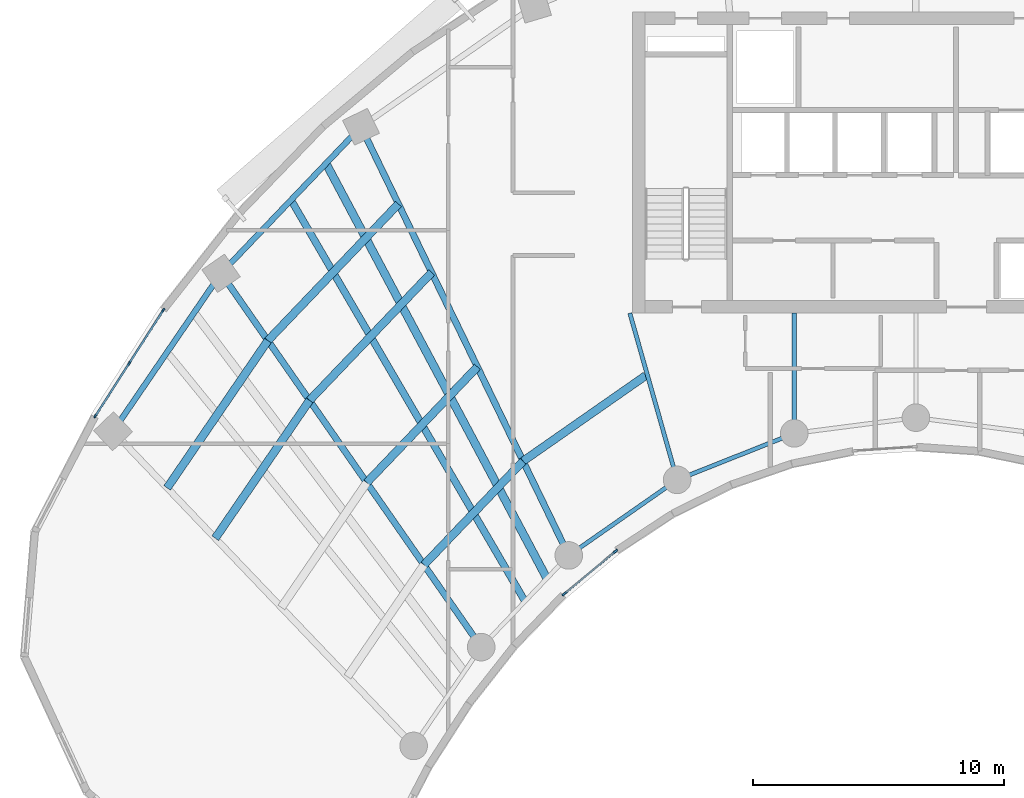
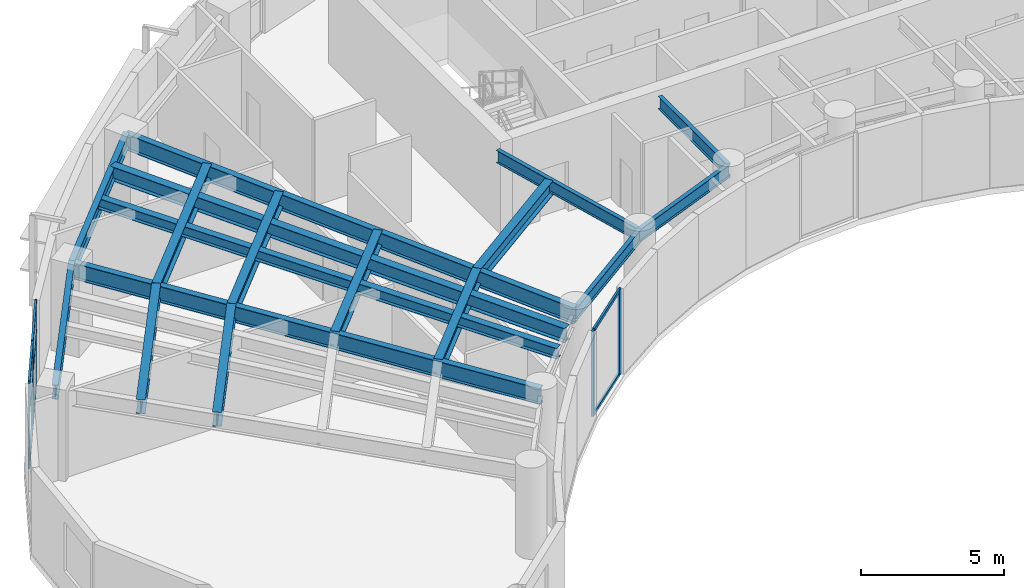
# One storey, part 2 of 12: 17 beams, 13 members, 2 elements without a shape of their own.
"""IFC4 building model written with IfcOpenShell, lengths in metres."""

from ifc_helpers import new_model, si_unit, direction, frame, origin, origin_2d, place, context, subcontext, project, spatial, rectangle, i_section, extrude, source, transform, mapped, material, layer, layer_set, material_profile, profile_set, type_object, type_shapes, element, aggregate, save


model = new_model("IFC4")

# Units and contexts
model_context = context("Model", 3, precision=1e-05, world=origin(), true_north=direction((0.0, 1.0)))
body_context = subcontext(model_context, "Body", "Model", "MODEL_VIEW")
ifc_project = project(units=[si_unit("LENGTHUNIT", "METRE"), si_unit("AREAUNIT", "SQUARE_METRE"), si_unit("VOLUMEUNIT", "CUBIC_METRE"), si_unit("PLANEANGLEUNIT", "RADIAN"), si_unit("MASSUNIT", "GRAM", prefix="KILO")], contexts=[model_context])

# Site, building, storey
site_placement = place(None, origin())
site = spatial("IfcSite", under=ifc_project, at=site_placement, CompositionType="ELEMENT")
building_placement = place(site_placement, origin())
building = spatial("IfcBuilding", under=site, at=building_placement, Name="Breltana Convention Tower", CompositionType="ELEMENT")
storey_placement = place(building_placement, frame((0.0, 0.0, 150.60009765625)))
storey = spatial("IfcBuildingStorey", under=building, at=storey_placement, Name="L36", CompositionType="ELEMENT", Elevation=150.60009765625)

# Beams
ifc_material_1 = material(Name="Steel ASTM A992 Grade 50", Category="steel")
ifc_material_profile_1 = material_profile(ifc_material_1, i_section(OverallWidth=0.25390625, OverallDepth=0.68798828125, WebThickness=0.01318359375, FlangeThickness=0.02099609375, at=origin_2d()), Name="W27X102")
ifc_profile_set_1 = profile_set([ifc_material_profile_1], Name="Steel ASTM A992 Grade 50")
beam_type_1 = type_object("IfcBeamType", Name="BM-RG-W27X102", PredefinedType="USERDEFINED", material=ifc_profile_set_1)
shared_shape_1 = source(origin(), body_context, "Body", "SweptSolid", [
    extrude(i_section(OverallWidth=0.25390625, OverallDepth=0.68798828125, WebThickness=0.01318359375, FlangeThickness=0.02099609375, at=origin_2d()), origin(), (0.0, 0.0, 1.0), 18.1484375),
])
beam_1_placement = place(storey_placement, frame((30.67724609375, 46.892333984375, 3.305908203125), z_axis=(-0.571207556098, 0.820805657788, 0.0), x_axis=(-0.820805657788, -0.571207556098, 0.0)))
element("IfcBeam", 1, at=beam_1_placement, inside=storey, type_object=beam_type_1, Name="L36 Radial Floor Girder R02", ObjectType="GIRDER", PredefinedType="USERDEFINED", context=body_context, shape_type="MappedRepresentation", body=[
    mapped(shared_shape_1, transform((0.0, 0.0, 0.0), scale=1.0)),
])
shared_shape_2 = source(origin(), body_context, "Body", "SweptSolid", [
    extrude(i_section(OverallWidth=0.25390625, OverallDepth=0.68798828125, WebThickness=0.01318359375, FlangeThickness=0.02099609375, at=origin_2d()), origin(), (0.0, 0.0, 1.0), 18.982421875),
])
beam_2_placement = place(storey_placement, frame((34.166259765625, 50.544921875, 3.305908203125), z_axis=(-0.436118560343, 0.89988921614, 0.0), x_axis=(-0.89988921614, -0.436118560343, 0.0)))
element("IfcBeam", 2, at=beam_2_placement, inside=storey, type_object=beam_type_1, Name="L36 Radial Floor Girder R03", ObjectType="GIRDER", PredefinedType="USERDEFINED", context=body_context, shape_type="MappedRepresentation", body=[
    mapped(shared_shape_2, transform((0.0, 0.0, 0.0), scale=1.0)),
])
ifc_material_profile_2 = material_profile(ifc_material_1, i_section(OverallWidth=0.166015625, OverallDepth=0.534912109375, WebThickness=0.01025390625, FlangeThickness=0.0166015625, at=origin_2d()), Name="W21X57")
ifc_profile_set_2 = profile_set([ifc_material_profile_2], Name="Steel ASTM A992 Grade 50")
beam_type_2 = type_object("IfcBeamType", Name="BM-BM-W21X57", PredefinedType="BEAM", material=ifc_profile_set_2)
shared_shape_3 = source(origin(), body_context, "Body", "SweptSolid", [
    extrude(i_section(OverallWidth=0.166015625, OverallDepth=0.534912109375, WebThickness=0.01025390625, FlangeThickness=0.0166015625, at=origin_2d()), origin(), (0.0, 0.0, 1.0), 6.904541015625),
])
type_shapes(beam_type_2, [shared_shape_3])
beam_3_placement = place(storey_placement, frame((36.60009765625, 60.199951171875, 3.38232421875), z_axis=(0.273006781054, -0.962012108811, 0.0), x_axis=(0.962012108811, 0.273006781054, 0.0)))
element("IfcBeam", 3, at=beam_3_placement, inside=storey, type_object=beam_type_2, Name="L36 South Core Tie Girder R04", PredefinedType="BEAM", context=body_context, shape_type="MappedRepresentation", body=[
    mapped(shared_shape_3, transform((0.0, 0.0, 0.0), scale=1.0)),
])
shared_shape_4 = source(origin(), body_context, "Body", "SweptSolid", [
    extrude(i_section(OverallWidth=0.166015625, OverallDepth=0.534912109375, WebThickness=0.01025390625, FlangeThickness=0.0166015625, at=origin_2d()), origin(), (0.0, 0.0, 1.0), 4.789306640625),
])
beam_4_placement = place(storey_placement, frame((43.153564453125, 60.199951171875, 3.38232421875), z_axis=(0.0, -1.0, 0.0), x_axis=(1.0, 0.0, 0.0)))
element("IfcBeam", 4, at=beam_4_placement, inside=storey, type_object=beam_type_2, Name="L36 South Core Tie Girder R05", PredefinedType="BEAM", context=body_context, shape_type="MappedRepresentation", body=[
    mapped(shared_shape_4, transform((0.0, 0.0, 0.0), scale=1.0)),
])
ifc_material_profile_3 = material_profile(ifc_material_1, i_section(OverallWidth=0.22802734375, OverallDepth=0.60791015625, WebThickness=0.01123046875, FlangeThickness=0.017333984375, at=origin_2d()), Name="W24X76")
ifc_profile_set_3 = profile_set([ifc_material_profile_3], Name="Steel ASTM A992 Grade 50")
beam_type_3 = type_object("IfcBeamType", Name="BM-SP-W24X76", PredefinedType="SPANDREL", material=ifc_profile_set_3)
shared_shape_5 = source(origin(), body_context, "Body", "SweptSolid", [
    extrude(i_section(OverallWidth=0.22802734375, OverallDepth=0.60791015625, WebThickness=0.01123046875, FlangeThickness=0.017333984375, at=origin_2d()), origin(), (0.0, 0.0, 1.0), 7.625),
])
type_shapes(beam_type_3, [shared_shape_5])
beam_5_placement = place(storey_placement, frame((16.0068359375, 55.494384765625, 3.345947265625), z_axis=(0.564452031902, 0.825465870694, 0.0), x_axis=(-0.825465870694, 0.564452031902, 0.0)))
element("IfcBeam", 5, at=beam_5_placement, inside=storey, type_object=beam_type_3, Name="L36 Outer Spandrel Beam 01", PredefinedType="SPANDREL", context=body_context, shape_type="MappedRepresentation", body=[
    mapped(shared_shape_5, transform((0.0, 0.0, 0.0), scale=1.0)),
])
shared_shape_6 = source(origin(), body_context, "Body", "SweptSolid", [
    extrude(i_section(OverallWidth=0.22802734375, OverallDepth=0.60791015625, WebThickness=0.01123046875, FlangeThickness=0.017333984375, at=origin_2d()), origin(), (0.0, 0.0, 1.0), 8.073974609375),
])
beam_6_placement = place(storey_placement, frame((20.310791015625, 61.78857421875, 3.345947265625), z_axis=(0.69072885448, 0.723113856588, 0.0), x_axis=(-0.723113856588, 0.69072885448, 0.0)))
element("IfcBeam", 6, at=beam_6_placement, inside=storey, type_object=beam_type_3, Name="L36 Outer Spandrel Beam 02", PredefinedType="SPANDREL", context=body_context, shape_type="MappedRepresentation", body=[
    mapped(shared_shape_6, transform((0.0, 0.0, 0.0), scale=1.0)),
])
shared_shape_7 = source(origin(), body_context, "Body", "SweptSolid", [
    extrude(i_section(OverallWidth=0.166015625, OverallDepth=0.534912109375, WebThickness=0.01025390625, FlangeThickness=0.0166015625, at=origin_2d()), origin(), (0.0, 0.0, 1.0), 5.265869140625),
])
beam_7_placement = place(storey_placement, frame((34.166259765625, 50.544921875, 3.38232421875), z_axis=(0.820167429517, 0.572123577176, 0.0), x_axis=(-0.572123577176, 0.820167429517, 0.0)))
element("IfcBeam", 7, at=beam_7_placement, inside=storey, type_object=beam_type_2, Name="L36 Inner Ring Beam 03", PredefinedType="BEAM", context=body_context, shape_type="MappedRepresentation", body=[
    mapped(shared_shape_7, transform((0.0, 0.0, 0.0), scale=1.0)),
])
shared_shape_8 = source(origin(), body_context, "Body", "SweptSolid", [
    extrude(i_section(OverallWidth=0.166015625, OverallDepth=0.534912109375, WebThickness=0.01025390625, FlangeThickness=0.0166015625, at=origin_2d()), origin(), (0.0, 0.0, 1.0), 5.022705078125),
])
beam_8_placement = place(storey_placement, frame((38.485107421875, 53.5576171875, 3.38232421875), z_axis=(0.929458966248, 0.368925507469, 0.0), x_axis=(-0.368925507469, 0.929458966248, 0.0)))
element("IfcBeam", 8, at=beam_8_placement, inside=storey, type_object=beam_type_2, Name="L36 Inner Ring Beam 04", PredefinedType="BEAM", context=body_context, shape_type="MappedRepresentation", body=[
    mapped(shared_shape_8, transform((0.0, 0.0, 0.0), scale=1.0)),
])
ifc_material_profile_4 = material_profile(ifc_material_1, i_section(OverallWidth=0.323974609375, OverallDepth=0.611083984375, WebThickness=0.0126953125, FlangeThickness=0.01904296875, at=origin_2d()), Name="W24X104")
ifc_profile_set_4 = profile_set([ifc_material_profile_4], Name="Steel ASTM A992 Grade 50")
beam_type_4 = type_object("IfcBeamType", Name="BM-JSG-01", PredefinedType="JOIST", material=ifc_profile_set_4)
shared_shape_9 = source(origin(), body_context, "Body", "SweptSolid", [
    extrude(i_section(OverallWidth=0.323974609375, OverallDepth=0.611083984375, WebThickness=0.0126953125, FlangeThickness=0.01904296875, at=origin_2d()), origin(), (0.0, 0.0, 1.0), 6.654541015625),
])
beam_9_placement = place(storey_placement, frame((20.0791015625, 51.23095703125, 3.344482421875), z_axis=(0.564482668195, 0.82544492082, 0.0), x_axis=(-0.82544492082, 0.564482668195, 0.0)))
element("IfcBeam", 9, at=beam_9_placement, inside=storey, type_object=beam_type_4, Name="L36 Composite Floor Joist 01.3", PredefinedType="JOIST", context=body_context, shape_type="MappedRepresentation", body=[
    mapped(shared_shape_9, transform((0.0, 0.0, 0.0), scale=1.0)),
])
shared_shape_10 = source(origin(), body_context, "Body", "SweptSolid", [
    extrude(i_section(OverallWidth=0.323974609375, OverallDepth=0.611083984375, WebThickness=0.0126953125, FlangeThickness=0.01904296875, at=origin_2d()), origin(), (0.0, 0.0, 1.0), 7.111328125),
])
beam_10_placement = place(storey_placement, frame((18.162841796875, 53.2373046875, 3.344482421875), z_axis=(0.564446356178, 0.825469751715, 0.0), x_axis=(-0.825469751715, 0.564446356178, 0.0)))
element("IfcBeam", 10, at=beam_10_placement, inside=storey, type_object=beam_type_4, Name="L36 Composite Floor Joist 01.4", PredefinedType="JOIST", context=body_context, shape_type="MappedRepresentation", body=[
    mapped(shared_shape_10, transform((0.0, 0.0, 0.0), scale=1.0)),
])
shared_shape_11 = source(origin(), body_context, "Body", "SweptSolid", [
    extrude(i_section(OverallWidth=0.323974609375, OverallDepth=0.611083984375, WebThickness=0.0126953125, FlangeThickness=0.01904296875, at=origin_2d()), origin(), (0.0, 0.0, 1.0), 5.716064453125),
])
beam_11_placement = place(storey_placement, frame((28.396484375, 50.169677734375, 3.344482421875), z_axis=(0.690756060045, 0.723087868458, 0.0), x_axis=(-0.723087868458, 0.690756060045, 0.0)))
element("IfcBeam", 11, at=beam_11_placement, inside=storey, type_object=beam_type_4, Name="L36 Composite Floor Joist 02.1", PredefinedType="JOIST", context=body_context, shape_type="MappedRepresentation", body=[
    mapped(shared_shape_11, transform((0.0, 0.0, 0.0), scale=1.0)),
])
shared_shape_12 = source(origin(), body_context, "Body", "SweptSolid", [
    extrude(i_section(OverallWidth=0.323974609375, OverallDepth=0.611083984375, WebThickness=0.0126953125, FlangeThickness=0.01904296875, at=origin_2d()), origin(), (0.0, 0.0, 1.0), 6.381103515625),
])
beam_12_placement = place(storey_placement, frame((26.115966796875, 53.44677734375, 3.344482421875), z_axis=(0.690737768889, 0.723105341309, 0.0), x_axis=(-0.723105341309, 0.690737768889, 0.0)))
element("IfcBeam", 12, at=beam_12_placement, inside=storey, type_object=beam_type_4, Name="L36 Composite Floor Joist 02.2", PredefinedType="JOIST", context=body_context, shape_type="MappedRepresentation", body=[
    mapped(shared_shape_12, transform((0.0, 0.0, 0.0), scale=1.0)),
])
shared_shape_13 = source(origin(), body_context, "Body", "SweptSolid", [
    extrude(i_section(OverallWidth=0.323974609375, OverallDepth=0.611083984375, WebThickness=0.0126953125, FlangeThickness=0.01904296875, at=origin_2d()), origin(), (0.0, 0.0, 1.0), 7.046142578125),
])
beam_13_placement = place(storey_placement, frame((23.83544921875, 56.723876953125, 3.344482421875), z_axis=(0.690722929904, 0.723119515782, 0.0), x_axis=(-0.723119515782, 0.690722929904, 0.0)))
element("IfcBeam", 13, at=beam_13_placement, inside=storey, type_object=beam_type_4, Name="L36 Composite Floor Joist 02.3", PredefinedType="JOIST", context=body_context, shape_type="MappedRepresentation", body=[
    mapped(shared_shape_13, transform((0.0, 0.0, 0.0), scale=1.0)),
])
shared_shape_14 = source(origin(), body_context, "Body", "SweptSolid", [
    extrude(i_section(OverallWidth=0.323974609375, OverallDepth=0.611083984375, WebThickness=0.0126953125, FlangeThickness=0.01904296875, at=origin_2d()), origin(), (0.0, 0.0, 1.0), 7.529541015625),
])
beam_14_placement = place(storey_placement, frame((22.1767578125, 59.107421875, 3.344482421875), z_axis=(0.690725562031, 0.723117001568, 0.0), x_axis=(-0.723117001568, 0.690725562031, 0.0)))
element("IfcBeam", 14, at=beam_14_placement, inside=storey, type_object=beam_type_4, Name="L36 Composite Floor Joist 02.4", PredefinedType="JOIST", context=body_context, shape_type="MappedRepresentation", body=[
    mapped(shared_shape_14, transform((0.0, 0.0, 0.0), scale=1.0)),
])
ifc_material_profile_5 = material_profile(ifc_material_1, i_section(OverallWidth=0.280029296875, OverallDepth=0.462890625, WebThickness=0.0107421875, FlangeThickness=0.017333984375, at=origin_2d()), Name="W18X76")
ifc_profile_set_5 = profile_set([ifc_material_profile_5], Name="Steel ASTM A992 Grade 50")
beam_type_5 = type_object("IfcBeamType", Name="BM-JSG-06", PredefinedType="JOIST", material=ifc_profile_set_5)
shared_shape_15 = source(origin(), body_context, "Body", "SweptSolid", [
    extrude(i_section(OverallWidth=0.280029296875, OverallDepth=0.462890625, WebThickness=0.0107421875, FlangeThickness=0.017333984375, at=origin_2d()), origin(), (0.0, 0.0, 1.0), 18.50830078125),
])
beam_15_placement = place(storey_placement, frame((32.421630859375, 48.71875, 3.41845703125), z_axis=(-0.50368319637, 0.863888440537, 0.0), x_axis=(-0.863888440537, -0.50368319637, 0.0)))
element("IfcBeam", 15, at=beam_15_placement, inside=storey, type_object=beam_type_5, Name="L36 Mid-Bay Radial Trimmer 02", PredefinedType="JOIST", context=body_context, shape_type="MappedRepresentation", body=[
    mapped(shared_shape_15, transform((0.0, 0.0, 0.0), scale=1.0)),
])
shared_shape_16 = source(origin(), body_context, "Body", "SweptSolid", [
    extrude(i_section(OverallWidth=0.323974609375, OverallDepth=0.611083984375, WebThickness=0.0126953125, FlangeThickness=0.01904296875, at=origin_2d()), origin(), (0.0, 0.0, 1.0), 18.731689453125),
])
beam_16_placement = place(storey_placement, frame((33.2939453125, 49.6318359375, 3.344482421875), z_axis=(-0.469820250451, 0.882762104004, 0.0), x_axis=(-0.882762104004, -0.469820250451, 0.0)))
element("IfcBeam", 16, at=beam_16_placement, inside=storey, type_object=beam_type_4, Name="L36 Quarter-Bay Radial Trimmer 02", PredefinedType="JOIST", context=body_context, shape_type="MappedRepresentation", body=[
    mapped(shared_shape_16, transform((0.0, 0.0, 0.0), scale=1.0)),
])
shared_shape_17 = source(origin(), body_context, "Body", "SweptSolid", [
    extrude(i_section(OverallWidth=0.323974609375, OverallDepth=0.611083984375, WebThickness=0.0126953125, FlangeThickness=0.01904296875, at=origin_2d()), origin(), (0.0, 0.0, 1.0), 5.959228515625),
])
beam_17_placement = place(storey_placement, frame((32.344970703125, 54.302978515625, 3.344482421875), z_axis=(0.820160485262, 0.572133531979, 0.0), x_axis=(-0.572133531979, 0.820160485262, 0.0)))
element("IfcBeam", 17, at=beam_17_placement, inside=storey, type_object=beam_type_4, Name="L36 Composite Floor Joist 03.1", PredefinedType="JOIST", context=body_context, shape_type="MappedRepresentation", body=[
    mapped(shared_shape_17, transform((0.0, 0.0, 0.0), scale=1.0)),
])

# Curtain wall, members
ifc_material_2 = material(Name="Aluminium Anodised Bronze Frame", Category="aluminium")
ifc_layer_1 = layer(ifc_material_2, 0.18994140625, Name="Aluminium Anodised Bronze Frame")
ifc_layer_set_1 = layer_set([ifc_layer_1], Name="Aluminium Anodised Bronze Frame")
curtain_wall_type_1 = type_object("IfcCurtainWallType", Name="CW-SYS-1", PredefinedType="NOTDEFINED", material=ifc_layer_set_1)
curtain_wall_1_placement = place(storey_placement, origin())
curtain_wall_1 = element("IfcCurtainWall", 18, at=curtain_wall_1_placement, inside=storey, type_object=curtain_wall_type_1, Name="L36 inner south-court glazing 5", PredefinedType="NOTDEFINED")
ifc_material_3 = material(Name="Aluminium Anodised Bronze", Category="aluminium")
ifc_material_profile_6 = material_profile(ifc_material_3, rectangle(XDim=0.080078125, YDim=0.199951171875, at=origin_2d()), Name="CWM-80X200")
ifc_profile_set_6 = profile_set([ifc_material_profile_6], Name="Aluminium Anodised Bronze")
member_type_1 = type_object("IfcMemberType", Name="CWM-200", PredefinedType="MULLION", material=ifc_profile_set_6)
shared_shape_18 = source(origin(), body_context, "Body", "SweptSolid", [
    extrude(rectangle(XDim=0.080078125, YDim=0.199951171875, at=origin_2d()), origin(), (0.0, 0.0, 1.0), 3.64990234375),
])
member_1_placement = place(storey_placement, frame((36.024658203125, 50.709228515625, 0.0), z_axis=(0.0, 0.0, 1.0), x_axis=(0.640537495741, -0.767926895316, 0.0)))
member_1 = element("IfcMember", 19, at=member_1_placement, type_object=member_type_1, Name="CW-01 mullion 1", PredefinedType="MULLION", context=body_context, shape_type="MappedRepresentation", body=[
    mapped(shared_shape_18, transform((0.0, 0.0, 0.0), scale=1.0)),
])
member_2_placement = place(storey_placement, frame((33.989990234375, 49.01220703125, 0.0), z_axis=(0.0, 0.0, 1.0), x_axis=(0.640537495741, -0.767926895316, 0.0)))
member_2 = element("IfcMember", 20, at=member_2_placement, type_object=member_type_1, Name="CW-01 mullion 2", PredefinedType="MULLION", context=body_context, shape_type="MappedRepresentation", body=[
    mapped(shared_shape_18, transform((0.0, 0.0, 0.0), scale=1.0)),
])

ifc_layer_2 = layer(ifc_material_2, 0.2099609375, Name="Aluminium Anodised Bronze Frame")
ifc_layer_set_2 = layer_set([ifc_layer_2], Name="Aluminium Anodised Bronze Frame")
curtain_wall_type_2 = type_object("IfcCurtainWallType", Name="CW-SYS-3", PredefinedType="NOTDEFINED", material=ifc_layer_set_2)
curtain_wall_2_placement = place(storey_placement, origin())
curtain_wall_2 = element("IfcCurtainWall", 21, at=curtain_wall_2_placement, inside=storey, type_object=curtain_wall_type_2, Name="L36 outer double-skin inner glazing 1", PredefinedType="NOTDEFINED")
ifc_material_profile_7 = material_profile(ifc_material_3, rectangle(XDim=0.070068359375, YDim=0.175048828125, at=origin_2d()), Name="CWM-70X175")
ifc_profile_set_7 = profile_set([ifc_material_profile_7], Name="Aluminium Anodised Bronze")
member_type_2 = type_object("IfcMemberType", Name="CWM-175", PredefinedType="MULLION", material=ifc_profile_set_7)
shared_shape_19 = source(origin(), body_context, "Body", "SweptSolid", [
    extrude(rectangle(XDim=0.070068359375, YDim=0.175048828125, at=origin_2d()), origin(), (0.0, 0.0, 1.0), 3.64990234375),
])
member_3_placement = place(storey_placement, frame((15.304443359375, 56.10498046875, 0.0), z_axis=(0.0, 0.0, 1.0), x_axis=(-0.841554203529, 0.54017267843, 0.0)))
member_3 = element("IfcMember", 22, at=member_3_placement, type_object=member_type_2, Name="CW-03 mullion 1", PredefinedType="MULLION", context=body_context, shape_type="MappedRepresentation", body=[
    mapped(shared_shape_19, transform((0.0, 0.0, 0.0), scale=1.0)),
])
member_4_placement = place(storey_placement, frame((16.6533203125, 58.20654296875, 0.0), z_axis=(0.0, 0.0, 1.0), x_axis=(-0.841554203529, 0.54017267843, 0.0)))
member_4 = element("IfcMember", 23, at=member_4_placement, type_object=member_type_2, Name="CW-03 mullion 2", PredefinedType="MULLION", context=body_context, shape_type="MappedRepresentation", body=[
    mapped(shared_shape_19, transform((0.0, 0.0, 0.0), scale=1.0)),
])
member_5_placement = place(storey_placement, frame((18.00244140625, 60.308349609375, 0.0), z_axis=(0.0, 0.0, 1.0), x_axis=(-0.841554203529, 0.54017267843, 0.0)))
member_5 = element("IfcMember", 24, at=member_5_placement, type_object=member_type_2, Name="CW-03 mullion 3", PredefinedType="MULLION", context=body_context, shape_type="MappedRepresentation", body=[
    mapped(shared_shape_19, transform((0.0, 0.0, 0.0), scale=1.0)),
])

# Member
ifc_material_profile_8 = material_profile(ifc_material_3, rectangle(XDim=0.080078125, YDim=0.139892578125, at=origin_2d()), Name="CWT-80X140")
ifc_profile_set_8 = profile_set([ifc_material_profile_8], Name="Aluminium Anodised Bronze")
member_type_3 = type_object("IfcMemberType", Name="CWT-140", PredefinedType="USERDEFINED", material=ifc_profile_set_8)
shared_shape_20 = source(origin(), body_context, "Body", "SweptSolid", [
    extrude(rectangle(XDim=0.080078125, YDim=0.139892578125, at=origin_2d()), origin(), (0.0, 0.0, 1.0), 2.5693359375),
])
member_6_placement = place(storey_placement, frame((35.993896484375, 50.68359375, 0.039794921875), z_axis=(-0.767940822982, -0.640520797788, 0.0), x_axis=(0.640520797788, -0.767940822982, 0.0)))
member_6 = element("IfcMember", 25, at=member_6_placement, type_object=member_type_3, Name="CW-01 transom 1.1", ObjectType="TRANSOM", PredefinedType="USERDEFINED", context=body_context, shape_type="MappedRepresentation", body=[
    mapped(shared_shape_20, transform((0.0, 0.0, 0.0), scale=1.0)),
])

member_7_placement = place(storey_placement, frame((35.993896484375, 50.68359375, 3.60986328125), z_axis=(-0.767940822982, -0.640520797788, 0.0), x_axis=(0.640520797788, -0.767940822982, 0.0)))
member_7 = element("IfcMember", 26, at=member_7_placement, type_object=member_type_3, Name="CW-01 transom 1.2", ObjectType="TRANSOM", PredefinedType="USERDEFINED", context=body_context, shape_type="MappedRepresentation", body=[
    mapped(shared_shape_20, transform((0.0, 0.0, 0.0), scale=1.0)),
])

aggregate(curtain_wall_1, [member_1, member_2, member_6, member_7])

shared_shape_21 = source(origin(), body_context, "Body", "SweptSolid", [
    extrude(rectangle(XDim=0.080078125, YDim=0.139892578125, at=origin_2d()), origin(), (0.0, 0.0, 1.0), 2.427490234375),
])
member_8_placement = place(storey_placement, frame((15.3232421875, 56.134521484375, 0.039794921875), z_axis=(0.540203388332, 0.841534490817, 0.0), x_axis=(-0.841534490817, 0.540203388332, 0.0)))
member_8 = element("IfcMember", 27, at=member_8_placement, type_object=member_type_3, Name="CW-03 transom 1.1", ObjectType="TRANSOM", PredefinedType="USERDEFINED", context=body_context, shape_type="MappedRepresentation", body=[
    mapped(shared_shape_21, transform((0.0, 0.0, 0.0), scale=1.0)),
])

member_9_placement = place(storey_placement, frame((15.3232421875, 56.134521484375, 2.372314453125), z_axis=(0.540203388332, 0.841534490817, 0.0), x_axis=(-0.841534490817, 0.540203388332, 0.0)))
member_9 = element("IfcMember", 28, at=member_9_placement, type_object=member_type_3, Name="CW-03 transom 1.2", ObjectType="TRANSOM", PredefinedType="USERDEFINED", context=body_context, shape_type="MappedRepresentation", body=[
    mapped(shared_shape_21, transform((0.0, 0.0, 0.0), scale=1.0)),
])

member_10_placement = place(storey_placement, frame((15.3232421875, 56.134521484375, 3.60986328125), z_axis=(0.540203388332, 0.841534490817, 0.0), x_axis=(-0.841534490817, 0.540203388332, 0.0)))
member_10 = element("IfcMember", 29, at=member_10_placement, type_object=member_type_3, Name="CW-03 transom 1.3", ObjectType="TRANSOM", PredefinedType="USERDEFINED", context=body_context, shape_type="MappedRepresentation", body=[
    mapped(shared_shape_21, transform((0.0, 0.0, 0.0), scale=1.0)),
])

shared_shape_22 = source(origin(), body_context, "Body", "SweptSolid", [
    extrude(rectangle(XDim=0.080078125, YDim=0.139892578125, at=origin_2d()), origin(), (0.0, 0.0, 1.0), 2.42724609375),
])
member_11_placement = place(storey_placement, frame((16.67236328125, 58.236083984375, 0.039794921875), z_axis=(0.540132155308, 0.841580212934, 0.0), x_axis=(-0.841580212934, 0.540132155308, 0.0)))
member_11 = element("IfcMember", 30, at=member_11_placement, type_object=member_type_3, Name="CW-03 transom 2.1", ObjectType="TRANSOM", PredefinedType="USERDEFINED", context=body_context, shape_type="MappedRepresentation", body=[
    mapped(shared_shape_22, transform((0.0, 0.0, 0.0), scale=1.0)),
])

member_12_placement = place(storey_placement, frame((16.67236328125, 58.236083984375, 2.372314453125), z_axis=(0.540132155308, 0.841580212934, 0.0), x_axis=(-0.841580212934, 0.540132155308, 0.0)))
member_12 = element("IfcMember", 31, at=member_12_placement, type_object=member_type_3, Name="CW-03 transom 2.2", ObjectType="TRANSOM", PredefinedType="USERDEFINED", context=body_context, shape_type="MappedRepresentation", body=[
    mapped(shared_shape_22, transform((0.0, 0.0, 0.0), scale=1.0)),
])

member_13_placement = place(storey_placement, frame((16.67236328125, 58.236083984375, 3.60986328125), z_axis=(0.540132155308, 0.841580212934, 0.0), x_axis=(-0.841580212934, 0.540132155308, 0.0)))
member_13 = element("IfcMember", 32, at=member_13_placement, type_object=member_type_3, Name="CW-03 transom 2.3", ObjectType="TRANSOM", PredefinedType="USERDEFINED", context=body_context, shape_type="MappedRepresentation", body=[
    mapped(shared_shape_22, transform((0.0, 0.0, 0.0), scale=1.0)),
])

aggregate(curtain_wall_2, [member_3, member_4, member_5, member_8, member_9, member_10, member_11, member_12, member_13])

save(model, "model.ifc")
